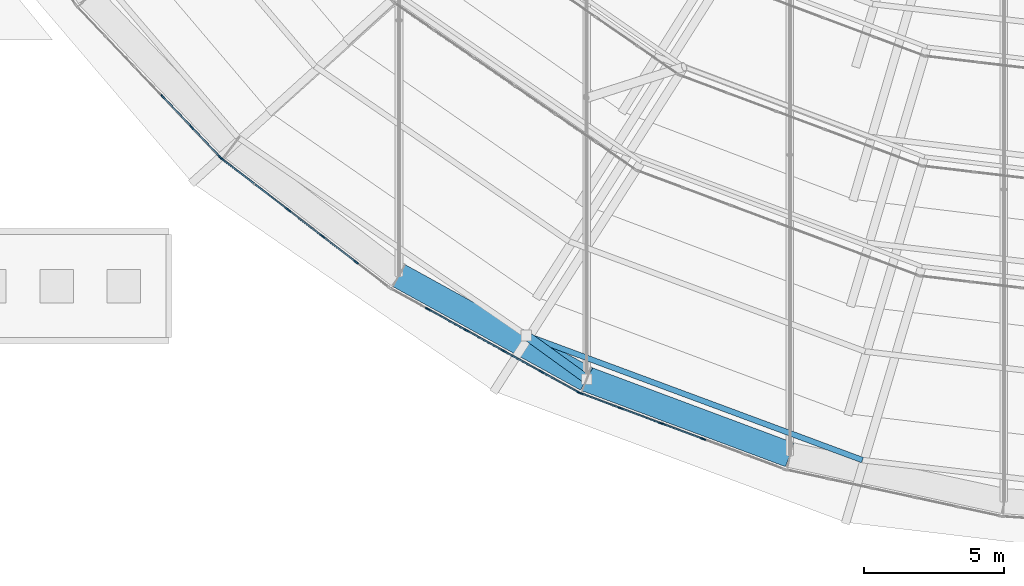
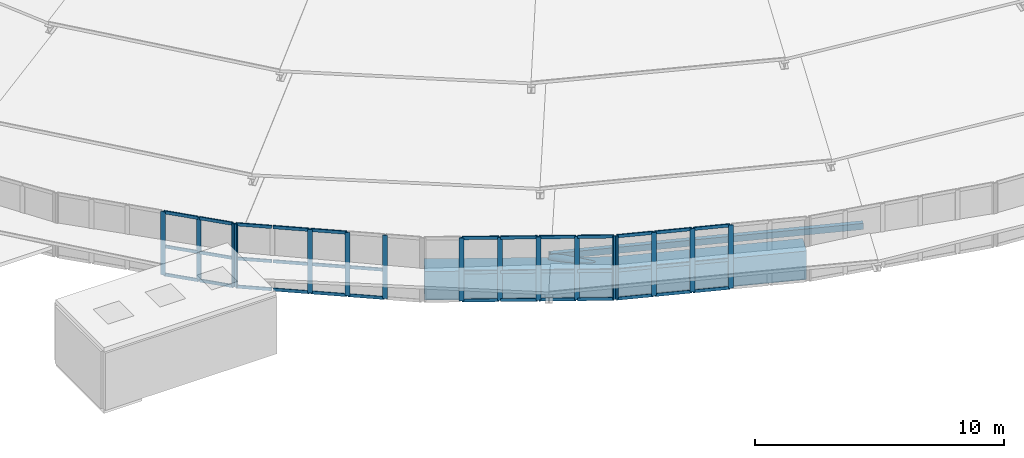
# One storey, part 1 of 173: 56 members, 2 beams, 4 elements without a shape of their own.
"""IFC4 building model written with IfcOpenShell, lengths in metres."""

from ifc_helpers import new_model, si_unit, direction, frame, origin, origin_2d, place, context, subcontext, project, spatial, rectangle, hollow_rectangle, hollow_circle, extrude, material, material_profile, profile_set, type_object, element, aggregate, save


model = new_model("IFC4")

# Units and contexts
model_context = context("Model", 3, precision=1e-05, world=origin(), true_north=direction((0.0, 1.0)))
body_context = subcontext(model_context, "Body", "Model", "MODEL_VIEW")
ifc_project = project(units=[si_unit("LENGTHUNIT", "METRE"), si_unit("AREAUNIT", "SQUARE_METRE"), si_unit("VOLUMEUNIT", "CUBIC_METRE"), si_unit("PLANEANGLEUNIT", "RADIAN"), si_unit("MASSUNIT", "GRAM", prefix="KILO")], contexts=[model_context])

# Site, building, storey
site_placement = place(None, origin())
site = spatial("IfcSite", under=ifc_project, at=site_placement, CompositionType="ELEMENT")
building_placement = place(site_placement, origin())
building = spatial("IfcBuilding", under=site, at=building_placement, Name="Glasvene Arena", CompositionType="ELEMENT")
storey_placement = place(building_placement, frame((0.0, 0.0, 28.800048828125)))
storey = spatial("IfcBuildingStorey", under=building, at=storey_placement, Name="RF", CompositionType="ELEMENT", Elevation=28.800048828125)

# Beams
ifc_material_1 = material(Name="Steel S355J2", Category="steel")
ifc_material_profile_1 = material_profile(ifc_material_1, hollow_rectangle(XDim=0.89990234375, YDim=1.39990234375, WallThickness=0.034912109375, at=origin_2d()), Name="WBOX 900x1400x35")
ifc_profile_set_1 = profile_set([ifc_material_profile_1], Name="Steel S355J2")
beam_type = type_object("IfcBeamType", Name="BM-RING-BOX1400", PredefinedType="USERDEFINED", material=ifc_profile_set_1)
beam_1_placement = place(storey_placement, frame((62.610595703125, 36.59423828125, -0.699951171875), z_axis=(0.875663430497, -0.482921894813, 0.0), x_axis=(0.482921894813, 0.875663430497, 0.0)))
element("IfcBeam", 1, at=beam_1_placement, inside=storey, type_object=beam_type, Name="Compression ring beam chord RB-27", ObjectType="RING BEAM", PredefinedType="USERDEFINED", context=body_context, shape_type="SweptSolid", body=[
    extrude(hollow_rectangle(XDim=0.89990234375, YDim=1.39990234375, WallThickness=0.034912109375, at=origin_2d()), origin(), (0.0, 0.0, 1.0), 7.639892578125),
])
beam_2_placement = place(storey_placement, frame((69.300537109375, 32.90478515625, -0.699951171875), z_axis=(0.937003141372, -0.349320931321, 0.0), x_axis=(0.349320931321, 0.937003141372, 0.0)))
element("IfcBeam", 2, at=beam_2_placement, inside=storey, type_object=beam_type, Name="Compression ring beam chord RB-28", ObjectType="RING BEAM", PredefinedType="USERDEFINED", context=body_context, shape_type="SweptSolid", body=[
    extrude(hollow_rectangle(XDim=0.89990234375, YDim=1.39990234375, WallThickness=0.034912109375, at=origin_2d()), origin(), (0.0, 0.0, 1.0), 7.736083984375),
])

# Curtain wall, members
ifc_material_2 = material(Name="Low-emissivity laminated double glazing", Category="glass")
curtain_wall_type_1 = type_object("IfcCurtainWallType", Name="CW-DRUM-749x310", PredefinedType="USERDEFINED", material=ifc_material_2)
curtain_wall_1_placement = place(storey_placement, frame((51.104248046875, 46.226318359375, 0.0)))
curtain_wall_1 = element("IfcCurtainWall", 3, at=curtain_wall_1_placement, inside=storey, type_object=curtain_wall_type_1, Name="Crown compression-ring fascia curtain wall 25", ObjectType="CURTAIN WALL", PredefinedType="USERDEFINED")
ifc_material_3 = material(Name="Anodised architectural aluminium", Category="aluminium")
ifc_material_profile_2 = material_profile(ifc_material_3, rectangle(XDim=0.050048828125, YDim=0.199951171875, at=origin_2d()), Name="ALU MULLION 50x200")
ifc_profile_set_2 = profile_set([ifc_material_profile_2], Name="Anodised architectural aluminium")
member_type_1 = type_object("IfcMemberType", Name="CW-MUL-180", PredefinedType="MULLION", material=ifc_profile_set_2)
member_1_placement = place(storey_placement, frame((54.195068359375, 42.96533203125, -1.380126953125), z_axis=(0.0, 0.0, 1.0), x_axis=(0.725782125252, 0.687924637344, 0.0)))
member_1 = element("IfcMember", 4, at=member_1_placement, type_object=member_type_1, Name="CW-075 mullion 4", PredefinedType="MULLION", context=body_context, shape_type="SweptSolid", body=[
    extrude(rectangle(XDim=0.050048828125, YDim=0.199951171875, at=origin_2d()), origin(), (0.0, 0.0, 1.0), 3.10009765625),
])
member_2_placement = place(storey_placement, frame((55.2255859375, 41.87841796875, -1.380126953125), z_axis=(0.0, 0.0, 1.0), x_axis=(0.725782125252, 0.687924637344, 0.0)))
member_2 = element("IfcMember", 5, at=member_2_placement, type_object=member_type_1, Name="CW-075 mullion 5", PredefinedType="MULLION", context=body_context, shape_type="SweptSolid", body=[
    extrude(rectangle(XDim=0.050048828125, YDim=0.199951171875, at=origin_2d()), origin(), (0.0, 0.0, 1.0), 3.10009765625),
])
member_3_placement = place(storey_placement, frame((56.238525390625, 40.809326171875, -1.380126953125), z_axis=(0.0, 0.0, 1.0), x_axis=(0.725782125252, 0.687924637344, 0.0)))
member_3 = element("IfcMember", 6, at=member_3_placement, type_object=member_type_1, Name="CW-075 mullion 6", PredefinedType="MULLION", context=body_context, shape_type="SweptSolid", body=[
    extrude(rectangle(XDim=0.050048828125, YDim=0.199951171875, at=origin_2d()), origin(), (0.0, 0.0, 1.0), 3.10009765625),
])

curtain_wall_type_2 = type_object("IfcCurtainWallType", Name="CW-DRUM-761x310", PredefinedType="USERDEFINED", material=ifc_material_2)
curtain_wall_2_placement = place(storey_placement, frame((56.255859375, 40.791259765625, 0.0)))
curtain_wall_2 = element("IfcCurtainWall", 7, at=curtain_wall_2_placement, inside=storey, type_object=curtain_wall_type_2, Name="Crown compression-ring fascia curtain wall 26", ObjectType="CURTAIN WALL", PredefinedType="USERDEFINED")
member_4_placement = place(storey_placement, frame((56.275634765625, 40.776123046875, -1.380126953125), z_axis=(0.0, 0.0, 1.0), x_axis=(0.609894880488, 0.792482324569, 0.0)))
member_4 = element("IfcMember", 8, at=member_4_placement, type_object=member_type_1, Name="CW-076 mullion 1", PredefinedType="MULLION", context=body_context, shape_type="SweptSolid", body=[
    extrude(rectangle(XDim=0.050048828125, YDim=0.199951171875, at=origin_2d()), origin(), (0.0, 0.0, 1.0), 3.10009765625),
])
member_5_placement = place(storey_placement, frame((58.66845703125, 38.9345703125, -1.380126953125), z_axis=(0.0, 0.0, 1.0), x_axis=(0.609894880488, 0.792482324569, 0.0)))
member_5 = element("IfcMember", 9, at=member_5_placement, type_object=member_type_1, Name="CW-076 mullion 3", PredefinedType="MULLION", context=body_context, shape_type="SweptSolid", body=[
    extrude(rectangle(XDim=0.050048828125, YDim=0.199951171875, at=origin_2d()), origin(), (0.0, 0.0, 1.0), 3.10009765625),
])
member_6_placement = place(storey_placement, frame((59.874755859375, 38.006103515625, -1.380126953125), z_axis=(0.0, 0.0, 1.0), x_axis=(0.609894880488, 0.792482324569, 0.0)))
member_6 = element("IfcMember", 10, at=member_6_placement, type_object=member_type_1, Name="CW-076 mullion 4", PredefinedType="MULLION", context=body_context, shape_type="SweptSolid", body=[
    extrude(rectangle(XDim=0.050048828125, YDim=0.199951171875, at=origin_2d()), origin(), (0.0, 0.0, 1.0), 3.10009765625),
])
member_7_placement = place(storey_placement, frame((61.0810546875, 37.07763671875, -1.380126953125), z_axis=(0.0, 0.0, 1.0), x_axis=(0.609894880488, 0.792482324569, 0.0)))
member_7 = element("IfcMember", 11, at=member_7_placement, type_object=member_type_1, Name="CW-076 mullion 5", PredefinedType="MULLION", context=body_context, shape_type="SweptSolid", body=[
    extrude(rectangle(XDim=0.050048828125, YDim=0.199951171875, at=origin_2d()), origin(), (0.0, 0.0, 1.0), 3.10009765625),
])

curtain_wall_type_3 = type_object("IfcCurtainWallType", Name="CW-DRUM-773x310", PredefinedType="USERDEFINED", material=ifc_material_2)
curtain_wall_3_placement = place(storey_placement, frame((62.28759765625, 36.1494140625, 0.0)))
curtain_wall_3 = element("IfcCurtainWall", 12, at=curtain_wall_3_placement, inside=storey, type_object=curtain_wall_type_3, Name="Crown compression-ring fascia curtain wall 27", ObjectType="CURTAIN WALL", PredefinedType="USERDEFINED")
member_8_placement = place(storey_placement, frame((63.64013671875, 35.40234375, -1.380126953125), z_axis=(0.0, 0.0, 1.0), x_axis=(0.483387319086, 0.875406591103, 0.0)))
member_8 = element("IfcMember", 13, at=member_8_placement, type_object=member_type_1, Name="CW-077 mullion 2", PredefinedType="MULLION", context=body_context, shape_type="SweptSolid", body=[
    extrude(rectangle(XDim=0.050048828125, YDim=0.199951171875, at=origin_2d()), origin(), (0.0, 0.0, 1.0), 3.10009765625),
])
member_9_placement = place(storey_placement, frame((64.992919921875, 34.655517578125, -1.380126953125), z_axis=(0.0, 0.0, 1.0), x_axis=(0.483387319086, 0.875406591103, 0.0)))
member_9 = element("IfcMember", 14, at=member_9_placement, type_object=member_type_1, Name="CW-077 mullion 3", PredefinedType="MULLION", context=body_context, shape_type="SweptSolid", body=[
    extrude(rectangle(XDim=0.050048828125, YDim=0.199951171875, at=origin_2d()), origin(), (0.0, 0.0, 1.0), 3.10009765625),
])
member_10_placement = place(storey_placement, frame((66.345458984375, 33.908447265625, -1.380126953125), z_axis=(0.0, 0.0, 1.0), x_axis=(0.483387319086, 0.875406591103, 0.0)))
member_10 = element("IfcMember", 15, at=member_10_placement, type_object=member_type_1, Name="CW-077 mullion 4", PredefinedType="MULLION", context=body_context, shape_type="SweptSolid", body=[
    extrude(rectangle(XDim=0.050048828125, YDim=0.199951171875, at=origin_2d()), origin(), (0.0, 0.0, 1.0), 3.10009765625),
])
member_11_placement = place(storey_placement, frame((67.6982421875, 33.16162109375, -1.380126953125), z_axis=(0.0, 0.0, 1.0), x_axis=(0.483387319086, 0.875406591103, 0.0)))
member_11 = element("IfcMember", 16, at=member_11_placement, type_object=member_type_1, Name="CW-077 mullion 5", PredefinedType="MULLION", context=body_context, shape_type="SweptSolid", body=[
    extrude(rectangle(XDim=0.050048828125, YDim=0.199951171875, at=origin_2d()), origin(), (0.0, 0.0, 1.0), 3.10009765625),
])
member_12_placement = place(storey_placement, frame((69.02880859375, 32.4267578125, -1.380126953125), z_axis=(0.0, 0.0, 1.0), x_axis=(0.483387319086, 0.875406591103, 0.0)))
member_12 = element("IfcMember", 17, at=member_12_placement, type_object=member_type_1, Name="CW-077 mullion 6", PredefinedType="MULLION", context=body_context, shape_type="SweptSolid", body=[
    extrude(rectangle(XDim=0.050048828125, YDim=0.199951171875, at=origin_2d()), origin(), (0.0, 0.0, 1.0), 3.10009765625),
])

curtain_wall_type_4 = type_object("IfcCurtainWallType", Name="CW-DRUM-782x310", PredefinedType="USERDEFINED", material=ifc_material_2)
curtain_wall_4_placement = place(storey_placement, frame((69.05078125, 32.414794921875, 0.0)))
curtain_wall_4 = element("IfcCurtainWall", 18, at=curtain_wall_4_placement, inside=storey, type_object=curtain_wall_type_4, Name="Crown compression-ring fascia curtain wall 28", ObjectType="CURTAIN WALL", PredefinedType="USERDEFINED")
member_13_placement = place(storey_placement, frame((69.07421875, 32.406005859375, -1.380126953125), z_axis=(0.0, 0.0, 1.0), x_axis=(0.349682803856, 0.936868153311, 0.0)))
member_13 = element("IfcMember", 19, at=member_13_placement, type_object=member_type_1, Name="CW-078 mullion 1", PredefinedType="MULLION", context=body_context, shape_type="SweptSolid", body=[
    extrude(rectangle(XDim=0.050048828125, YDim=0.199951171875, at=origin_2d()), origin(), (0.0, 0.0, 1.0), 3.10009765625),
])
member_14_placement = place(storey_placement, frame((70.5166015625, 31.86767578125, -1.380126953125), z_axis=(0.0, 0.0, 1.0), x_axis=(0.349682803856, 0.936868153311, 0.0)))
member_14 = element("IfcMember", 20, at=member_14_placement, type_object=member_type_1, Name="CW-078 mullion 2", PredefinedType="MULLION", context=body_context, shape_type="SweptSolid", body=[
    extrude(rectangle(XDim=0.050048828125, YDim=0.199951171875, at=origin_2d()), origin(), (0.0, 0.0, 1.0), 3.10009765625),
])
member_15_placement = place(storey_placement, frame((71.982177734375, 31.320556640625, -1.380126953125), z_axis=(0.0, 0.0, 1.0), x_axis=(0.349682803856, 0.936868153311, 0.0)))
member_15 = element("IfcMember", 21, at=member_15_placement, type_object=member_type_1, Name="CW-078 mullion 3", PredefinedType="MULLION", context=body_context, shape_type="SweptSolid", body=[
    extrude(rectangle(XDim=0.050048828125, YDim=0.199951171875, at=origin_2d()), origin(), (0.0, 0.0, 1.0), 3.10009765625),
])
member_16_placement = place(storey_placement, frame((73.44775390625, 30.7734375, -1.380126953125), z_axis=(0.0, 0.0, 1.0), x_axis=(0.349682803856, 0.936868153311, 0.0)))
member_16 = element("IfcMember", 22, at=member_16_placement, type_object=member_type_1, Name="CW-078 mullion 4", PredefinedType="MULLION", context=body_context, shape_type="SweptSolid", body=[
    extrude(rectangle(XDim=0.050048828125, YDim=0.199951171875, at=origin_2d()), origin(), (0.0, 0.0, 1.0), 3.10009765625),
])

# Member
ifc_material_profile_3 = material_profile(ifc_material_3, rectangle(XDim=0.050048828125, YDim=0.14990234375, at=origin_2d()), Name="ALU TRANSOM 50x150")
ifc_profile_set_3 = profile_set([ifc_material_profile_3], Name="Anodised architectural aluminium")
member_type_2 = type_object("IfcMemberType", Name="CW-TRN-150", PredefinedType="USERDEFINED", material=ifc_profile_set_3)
member_17_placement = place(storey_placement, frame((54.21240234375, 42.947265625, -1.35498046875), z_axis=(0.687880286025, -0.725824160591, 0.0), x_axis=(0.725824160591, 0.687880286025, 0.0)))
member_17 = element("IfcMember", 23, at=member_17_placement, type_object=member_type_2, Name="CW-075 transom 4.1", ObjectType="TRANSOM", PredefinedType="USERDEFINED", context=body_context, shape_type="SweptSolid", body=[
    extrude(rectangle(XDim=0.050048828125, YDim=0.14990234375, at=origin_2d()), origin(), (0.0, 0.0, 1.0), 1.44775390625),
])

member_18_placement = place(storey_placement, frame((54.21240234375, 42.947265625, 0.02001953125), z_axis=(0.687880286025, -0.725824160591, 0.0), x_axis=(0.725824160591, 0.687880286025, 0.0)))
member_18 = element("IfcMember", 24, at=member_18_placement, type_object=member_type_2, Name="CW-075 transom 4.2", ObjectType="TRANSOM", PredefinedType="USERDEFINED", context=body_context, shape_type="SweptSolid", body=[
    extrude(rectangle(XDim=0.050048828125, YDim=0.14990234375, at=origin_2d()), origin(), (0.0, 0.0, 1.0), 1.44775390625),
])

member_19_placement = place(storey_placement, frame((54.21240234375, 42.947265625, 1.695068359375), z_axis=(0.687880286025, -0.725824160591, 0.0), x_axis=(0.725824160591, 0.687880286025, 0.0)))
member_19 = element("IfcMember", 25, at=member_19_placement, type_object=member_type_2, Name="CW-075 transom 4.3", ObjectType="TRANSOM", PredefinedType="USERDEFINED", context=body_context, shape_type="SweptSolid", body=[
    extrude(rectangle(XDim=0.050048828125, YDim=0.14990234375, at=origin_2d()), origin(), (0.0, 0.0, 1.0), 1.44775390625),
])

member_20_placement = place(storey_placement, frame((55.24267578125, 41.860107421875, -1.35498046875), z_axis=(0.687977849448, -0.725731685038, 0.0), x_axis=(0.725731685038, 0.687977849448, 0.0)))
member_20 = element("IfcMember", 26, at=member_20_placement, type_object=member_type_2, Name="CW-075 transom 5.1", ObjectType="TRANSOM", PredefinedType="USERDEFINED", context=body_context, shape_type="SweptSolid", body=[
    extrude(rectangle(XDim=0.050048828125, YDim=0.14990234375, at=origin_2d()), origin(), (0.0, 0.0, 1.0), 1.422607421875),
])

member_21_placement = place(storey_placement, frame((55.24267578125, 41.860107421875, 0.02001953125), z_axis=(0.687977849448, -0.725731685038, 0.0), x_axis=(0.725731685038, 0.687977849448, 0.0)))
member_21 = element("IfcMember", 27, at=member_21_placement, type_object=member_type_2, Name="CW-075 transom 5.2", ObjectType="TRANSOM", PredefinedType="USERDEFINED", context=body_context, shape_type="SweptSolid", body=[
    extrude(rectangle(XDim=0.050048828125, YDim=0.14990234375, at=origin_2d()), origin(), (0.0, 0.0, 1.0), 1.422607421875),
])

member_22_placement = place(storey_placement, frame((55.24267578125, 41.860107421875, 1.695068359375), z_axis=(0.687977849448, -0.725731685038, 0.0), x_axis=(0.725731685038, 0.687977849448, 0.0)))
member_22 = element("IfcMember", 28, at=member_22_placement, type_object=member_type_2, Name="CW-075 transom 5.3", ObjectType="TRANSOM", PredefinedType="USERDEFINED", context=body_context, shape_type="SweptSolid", body=[
    extrude(rectangle(XDim=0.050048828125, YDim=0.14990234375, at=origin_2d()), origin(), (0.0, 0.0, 1.0), 1.422607421875),
])

aggregate(curtain_wall_1, [member_1, member_2, member_3, member_17, member_18, member_19, member_20, member_21, member_22])

member_23_placement = place(storey_placement, frame((56.29541015625, 40.7607421875, -1.35498046875), z_axis=(0.792529911732, -0.609833041914, 0.0), x_axis=(0.609833041914, 0.792529911732, 0.0)))
member_23 = element("IfcMember", 29, at=member_23_placement, type_object=member_type_2, Name="CW-076 transom 1.1", ObjectType="TRANSOM", PredefinedType="USERDEFINED", context=body_context, shape_type="SweptSolid", body=[
    extrude(rectangle(XDim=0.050048828125, YDim=0.14990234375, at=origin_2d()), origin(), (0.0, 0.0, 1.0), 1.447265625),
])

member_24_placement = place(storey_placement, frame((56.29541015625, 40.7607421875, 0.02001953125), z_axis=(0.792529911732, -0.609833041914, 0.0), x_axis=(0.609833041914, 0.792529911732, 0.0)))
member_24 = element("IfcMember", 30, at=member_24_placement, type_object=member_type_2, Name="CW-076 transom 1.2", ObjectType="TRANSOM", PredefinedType="USERDEFINED", context=body_context, shape_type="SweptSolid", body=[
    extrude(rectangle(XDim=0.050048828125, YDim=0.14990234375, at=origin_2d()), origin(), (0.0, 0.0, 1.0), 1.447265625),
])

member_25_placement = place(storey_placement, frame((56.29541015625, 40.7607421875, 1.695068359375), z_axis=(0.792529911732, -0.609833041914, 0.0), x_axis=(0.609833041914, 0.792529911732, 0.0)))
member_25 = element("IfcMember", 31, at=member_25_placement, type_object=member_type_2, Name="CW-076 transom 1.3", ObjectType="TRANSOM", PredefinedType="USERDEFINED", context=body_context, shape_type="SweptSolid", body=[
    extrude(rectangle(XDim=0.050048828125, YDim=0.14990234375, at=origin_2d()), origin(), (0.0, 0.0, 1.0), 1.447265625),
])

member_26_placement = place(storey_placement, frame((57.48193359375, 39.84765625, -1.35498046875), z_axis=(0.792476018124, -0.60990307484, 0.0), x_axis=(0.60990307484, 0.792476018124, 0.0)))
member_26 = element("IfcMember", 32, at=member_26_placement, type_object=member_type_2, Name="CW-076 transom 2.1", ObjectType="TRANSOM", PredefinedType="USERDEFINED", context=body_context, shape_type="SweptSolid", body=[
    extrude(rectangle(XDim=0.050048828125, YDim=0.14990234375, at=origin_2d()), origin(), (0.0, 0.0, 1.0), 1.47216796875),
])

member_27_placement = place(storey_placement, frame((57.48193359375, 39.84765625, 0.02001953125), z_axis=(0.792476018124, -0.60990307484, 0.0), x_axis=(0.60990307484, 0.792476018124, 0.0)))
member_27 = element("IfcMember", 33, at=member_27_placement, type_object=member_type_2, Name="CW-076 transom 2.2", ObjectType="TRANSOM", PredefinedType="USERDEFINED", context=body_context, shape_type="SweptSolid", body=[
    extrude(rectangle(XDim=0.050048828125, YDim=0.14990234375, at=origin_2d()), origin(), (0.0, 0.0, 1.0), 1.47216796875),
])

member_28_placement = place(storey_placement, frame((57.48193359375, 39.84765625, 1.695068359375), z_axis=(0.792476018124, -0.60990307484, 0.0), x_axis=(0.60990307484, 0.792476018124, 0.0)))
member_28 = element("IfcMember", 34, at=member_28_placement, type_object=member_type_2, Name="CW-076 transom 2.3", ObjectType="TRANSOM", PredefinedType="USERDEFINED", context=body_context, shape_type="SweptSolid", body=[
    extrude(rectangle(XDim=0.050048828125, YDim=0.14990234375, at=origin_2d()), origin(), (0.0, 0.0, 1.0), 1.47216796875),
])

member_29_placement = place(storey_placement, frame((58.688232421875, 38.919189453125, -1.35498046875), z_axis=(0.792476018124, -0.60990307484, 0.0), x_axis=(0.60990307484, 0.792476018124, 0.0)))
member_29 = element("IfcMember", 35, at=member_29_placement, type_object=member_type_2, Name="CW-076 transom 3.1", ObjectType="TRANSOM", PredefinedType="USERDEFINED", context=body_context, shape_type="SweptSolid", body=[
    extrude(rectangle(XDim=0.050048828125, YDim=0.14990234375, at=origin_2d()), origin(), (0.0, 0.0, 1.0), 1.47216796875),
])

member_30_placement = place(storey_placement, frame((58.688232421875, 38.919189453125, 0.02001953125), z_axis=(0.792476018124, -0.60990307484, 0.0), x_axis=(0.60990307484, 0.792476018124, 0.0)))
member_30 = element("IfcMember", 36, at=member_30_placement, type_object=member_type_2, Name="CW-076 transom 3.2", ObjectType="TRANSOM", PredefinedType="USERDEFINED", context=body_context, shape_type="SweptSolid", body=[
    extrude(rectangle(XDim=0.050048828125, YDim=0.14990234375, at=origin_2d()), origin(), (0.0, 0.0, 1.0), 1.47216796875),
])

member_31_placement = place(storey_placement, frame((58.688232421875, 38.919189453125, 1.695068359375), z_axis=(0.792476018124, -0.60990307484, 0.0), x_axis=(0.60990307484, 0.792476018124, 0.0)))
member_31 = element("IfcMember", 37, at=member_31_placement, type_object=member_type_2, Name="CW-076 transom 3.3", ObjectType="TRANSOM", PredefinedType="USERDEFINED", context=body_context, shape_type="SweptSolid", body=[
    extrude(rectangle(XDim=0.050048828125, YDim=0.14990234375, at=origin_2d()), origin(), (0.0, 0.0, 1.0), 1.47216796875),
])

member_32_placement = place(storey_placement, frame((59.89453125, 37.990966796875, -1.35498046875), z_axis=(0.792476018124, -0.60990307484, 0.0), x_axis=(0.60990307484, 0.792476018124, 0.0)))
member_32 = element("IfcMember", 38, at=member_32_placement, type_object=member_type_2, Name="CW-076 transom 4.1", ObjectType="TRANSOM", PredefinedType="USERDEFINED", context=body_context, shape_type="SweptSolid", body=[
    extrude(rectangle(XDim=0.050048828125, YDim=0.14990234375, at=origin_2d()), origin(), (0.0, 0.0, 1.0), 1.47216796875),
])

member_33_placement = place(storey_placement, frame((59.89453125, 37.990966796875, 0.02001953125), z_axis=(0.792476018124, -0.60990307484, 0.0), x_axis=(0.60990307484, 0.792476018124, 0.0)))
member_33 = element("IfcMember", 39, at=member_33_placement, type_object=member_type_2, Name="CW-076 transom 4.2", ObjectType="TRANSOM", PredefinedType="USERDEFINED", context=body_context, shape_type="SweptSolid", body=[
    extrude(rectangle(XDim=0.050048828125, YDim=0.14990234375, at=origin_2d()), origin(), (0.0, 0.0, 1.0), 1.47216796875),
])

aggregate(curtain_wall_2, [member_4, member_5, member_6, member_7, member_23, member_24, member_25, member_26, member_27, member_28, member_29, member_30, member_31, member_32, member_33])

member_34_placement = place(storey_placement, frame((63.662109375, 35.390380859375, -1.35498046875), z_axis=(0.87535611162, -0.483478725332, 0.0), x_axis=(0.483478725332, 0.87535611162, 0.0)))
member_34 = element("IfcMember", 40, at=member_34_placement, type_object=member_type_2, Name="CW-077 transom 2.1", ObjectType="TRANSOM", PredefinedType="USERDEFINED", context=body_context, shape_type="SweptSolid", body=[
    extrude(rectangle(XDim=0.050048828125, YDim=0.14990234375, at=origin_2d()), origin(), (0.0, 0.0, 1.0), 1.4951171875),
])

member_35_placement = place(storey_placement, frame((63.662109375, 35.390380859375, 0.02001953125), z_axis=(0.87535611162, -0.483478725332, 0.0), x_axis=(0.483478725332, 0.87535611162, 0.0)))
member_35 = element("IfcMember", 41, at=member_35_placement, type_object=member_type_2, Name="CW-077 transom 2.2", ObjectType="TRANSOM", PredefinedType="USERDEFINED", context=body_context, shape_type="SweptSolid", body=[
    extrude(rectangle(XDim=0.050048828125, YDim=0.14990234375, at=origin_2d()), origin(), (0.0, 0.0, 1.0), 1.4951171875),
])

member_36_placement = place(storey_placement, frame((63.662109375, 35.390380859375, 1.695068359375), z_axis=(0.87535611162, -0.483478725332, 0.0), x_axis=(0.483478725332, 0.87535611162, 0.0)))
member_36 = element("IfcMember", 42, at=member_36_placement, type_object=member_type_2, Name="CW-077 transom 2.3", ObjectType="TRANSOM", PredefinedType="USERDEFINED", context=body_context, shape_type="SweptSolid", body=[
    extrude(rectangle(XDim=0.050048828125, YDim=0.14990234375, at=origin_2d()), origin(), (0.0, 0.0, 1.0), 1.4951171875),
])

member_37_placement = place(storey_placement, frame((65.0146484375, 34.643310546875, -1.35498046875), z_axis=(0.8754252118, -0.483353595771, 0.0), x_axis=(0.483353595771, 0.8754252118, 0.0)))
member_37 = element("IfcMember", 43, at=member_37_placement, type_object=member_type_2, Name="CW-077 transom 3.1", ObjectType="TRANSOM", PredefinedType="USERDEFINED", context=body_context, shape_type="SweptSolid", body=[
    extrude(rectangle(XDim=0.050048828125, YDim=0.14990234375, at=origin_2d()), origin(), (0.0, 0.0, 1.0), 1.4951171875),
])

member_38_placement = place(storey_placement, frame((65.0146484375, 34.643310546875, 0.02001953125), z_axis=(0.8754252118, -0.483353595771, 0.0), x_axis=(0.483353595771, 0.8754252118, 0.0)))
member_38 = element("IfcMember", 44, at=member_38_placement, type_object=member_type_2, Name="CW-077 transom 3.2", ObjectType="TRANSOM", PredefinedType="USERDEFINED", context=body_context, shape_type="SweptSolid", body=[
    extrude(rectangle(XDim=0.050048828125, YDim=0.14990234375, at=origin_2d()), origin(), (0.0, 0.0, 1.0), 1.4951171875),
])

member_39_placement = place(storey_placement, frame((65.0146484375, 34.643310546875, 1.695068359375), z_axis=(0.8754252118, -0.483353595771, 0.0), x_axis=(0.483353595771, 0.8754252118, 0.0)))
member_39 = element("IfcMember", 45, at=member_39_placement, type_object=member_type_2, Name="CW-077 transom 3.3", ObjectType="TRANSOM", PredefinedType="USERDEFINED", context=body_context, shape_type="SweptSolid", body=[
    extrude(rectangle(XDim=0.050048828125, YDim=0.14990234375, at=origin_2d()), origin(), (0.0, 0.0, 1.0), 1.4951171875),
])

member_40_placement = place(storey_placement, frame((66.367431640625, 33.896484375, -1.35498046875), z_axis=(0.87535611162, -0.483478725332, 0.0), x_axis=(0.483478725332, 0.87535611162, 0.0)))
member_40 = element("IfcMember", 46, at=member_40_placement, type_object=member_type_2, Name="CW-077 transom 4.1", ObjectType="TRANSOM", PredefinedType="USERDEFINED", context=body_context, shape_type="SweptSolid", body=[
    extrude(rectangle(XDim=0.050048828125, YDim=0.14990234375, at=origin_2d()), origin(), (0.0, 0.0, 1.0), 1.4951171875),
])

member_41_placement = place(storey_placement, frame((66.367431640625, 33.896484375, 0.02001953125), z_axis=(0.87535611162, -0.483478725332, 0.0), x_axis=(0.483478725332, 0.87535611162, 0.0)))
member_41 = element("IfcMember", 47, at=member_41_placement, type_object=member_type_2, Name="CW-077 transom 4.2", ObjectType="TRANSOM", PredefinedType="USERDEFINED", context=body_context, shape_type="SweptSolid", body=[
    extrude(rectangle(XDim=0.050048828125, YDim=0.14990234375, at=origin_2d()), origin(), (0.0, 0.0, 1.0), 1.4951171875),
])

member_42_placement = place(storey_placement, frame((66.367431640625, 33.896484375, 1.695068359375), z_axis=(0.87535611162, -0.483478725332, 0.0), x_axis=(0.483478725332, 0.87535611162, 0.0)))
member_42 = element("IfcMember", 48, at=member_42_placement, type_object=member_type_2, Name="CW-077 transom 4.3", ObjectType="TRANSOM", PredefinedType="USERDEFINED", context=body_context, shape_type="SweptSolid", body=[
    extrude(rectangle(XDim=0.050048828125, YDim=0.14990234375, at=origin_2d()), origin(), (0.0, 0.0, 1.0), 1.4951171875),
])

member_43_placement = place(storey_placement, frame((67.719970703125, 33.1494140625, -1.35498046875), z_axis=(0.875485629415, -0.483244154324, 0.0), x_axis=(0.483244154324, 0.875485629415, 0.0)))
member_43 = element("IfcMember", 49, at=member_43_placement, type_object=member_type_2, Name="CW-077 transom 5.1", ObjectType="TRANSOM", PredefinedType="USERDEFINED", context=body_context, shape_type="SweptSolid", body=[
    extrude(rectangle(XDim=0.050048828125, YDim=0.14990234375, at=origin_2d()), origin(), (0.0, 0.0, 1.0), 1.47021484375),
])

member_44_placement = place(storey_placement, frame((67.719970703125, 33.1494140625, 0.02001953125), z_axis=(0.875485629415, -0.483244154324, 0.0), x_axis=(0.483244154324, 0.875485629415, 0.0)))
member_44 = element("IfcMember", 50, at=member_44_placement, type_object=member_type_2, Name="CW-077 transom 5.2", ObjectType="TRANSOM", PredefinedType="USERDEFINED", context=body_context, shape_type="SweptSolid", body=[
    extrude(rectangle(XDim=0.050048828125, YDim=0.14990234375, at=origin_2d()), origin(), (0.0, 0.0, 1.0), 1.47021484375),
])

member_45_placement = place(storey_placement, frame((67.719970703125, 33.1494140625, 1.695068359375), z_axis=(0.875485629415, -0.483244154324, 0.0), x_axis=(0.483244154324, 0.875485629415, 0.0)))
member_45 = element("IfcMember", 51, at=member_45_placement, type_object=member_type_2, Name="CW-077 transom 5.3", ObjectType="TRANSOM", PredefinedType="USERDEFINED", context=body_context, shape_type="SweptSolid", body=[
    extrude(rectangle(XDim=0.050048828125, YDim=0.14990234375, at=origin_2d()), origin(), (0.0, 0.0, 1.0), 1.47021484375),
])

aggregate(curtain_wall_3, [member_8, member_9, member_10, member_11, member_12, member_34, member_35, member_36, member_37, member_38, member_39, member_40, member_41, member_42, member_43, member_44, member_45])

member_46_placement = place(storey_placement, frame((69.09765625, 32.397216796875, -1.35498046875), z_axis=(0.936893778627, -0.349614140975, 0.0), x_axis=(0.349614140975, 0.936893778627, 0.0)))
member_46 = element("IfcMember", 52, at=member_46_placement, type_object=member_type_2, Name="CW-078 transom 1.1", ObjectType="TRANSOM", PredefinedType="USERDEFINED", context=body_context, shape_type="SweptSolid", body=[
    extrude(rectangle(XDim=0.050048828125, YDim=0.14990234375, at=origin_2d()), origin(), (0.0, 0.0, 1.0), 1.489501953125),
])

member_47_placement = place(storey_placement, frame((69.09765625, 32.397216796875, 0.02001953125), z_axis=(0.936893778627, -0.349614140975, 0.0), x_axis=(0.349614140975, 0.936893778627, 0.0)))
member_47 = element("IfcMember", 53, at=member_47_placement, type_object=member_type_2, Name="CW-078 transom 1.2", ObjectType="TRANSOM", PredefinedType="USERDEFINED", context=body_context, shape_type="SweptSolid", body=[
    extrude(rectangle(XDim=0.050048828125, YDim=0.14990234375, at=origin_2d()), origin(), (0.0, 0.0, 1.0), 1.489501953125),
])

member_48_placement = place(storey_placement, frame((69.09765625, 32.397216796875, 1.695068359375), z_axis=(0.936893778627, -0.349614140975, 0.0), x_axis=(0.349614140975, 0.936893778627, 0.0)))
member_48 = element("IfcMember", 54, at=member_48_placement, type_object=member_type_2, Name="CW-078 transom 1.3", ObjectType="TRANSOM", PredefinedType="USERDEFINED", context=body_context, shape_type="SweptSolid", body=[
    extrude(rectangle(XDim=0.050048828125, YDim=0.14990234375, at=origin_2d()), origin(), (0.0, 0.0, 1.0), 1.489501953125),
])

member_49_placement = place(storey_placement, frame((70.539794921875, 31.85888671875, -1.35498046875), z_axis=(0.936884467043, -0.349639093086, 0.0), x_axis=(0.349639093086, 0.936884467043, 0.0)))
member_49 = element("IfcMember", 55, at=member_49_placement, type_object=member_type_2, Name="CW-078 transom 2.1", ObjectType="TRANSOM", PredefinedType="USERDEFINED", context=body_context, shape_type="SweptSolid", body=[
    extrude(rectangle(XDim=0.050048828125, YDim=0.14990234375, at=origin_2d()), origin(), (0.0, 0.0, 1.0), 1.5146484375),
])

member_50_placement = place(storey_placement, frame((70.539794921875, 31.85888671875, 0.02001953125), z_axis=(0.936884467043, -0.349639093086, 0.0), x_axis=(0.349639093086, 0.936884467043, 0.0)))
member_50 = element("IfcMember", 56, at=member_50_placement, type_object=member_type_2, Name="CW-078 transom 2.2", ObjectType="TRANSOM", PredefinedType="USERDEFINED", context=body_context, shape_type="SweptSolid", body=[
    extrude(rectangle(XDim=0.050048828125, YDim=0.14990234375, at=origin_2d()), origin(), (0.0, 0.0, 1.0), 1.5146484375),
])

member_51_placement = place(storey_placement, frame((70.539794921875, 31.85888671875, 1.695068359375), z_axis=(0.936884467043, -0.349639093086, 0.0), x_axis=(0.349639093086, 0.936884467043, 0.0)))
member_51 = element("IfcMember", 57, at=member_51_placement, type_object=member_type_2, Name="CW-078 transom 2.3", ObjectType="TRANSOM", PredefinedType="USERDEFINED", context=body_context, shape_type="SweptSolid", body=[
    extrude(rectangle(XDim=0.050048828125, YDim=0.14990234375, at=origin_2d()), origin(), (0.0, 0.0, 1.0), 1.5146484375),
])

member_52_placement = place(storey_placement, frame((72.005615234375, 31.311767578125, -1.35498046875), z_axis=(0.93686475649, -0.349691904462, 0.0), x_axis=(0.349691904462, 0.93686475649, 0.0)))
member_52 = element("IfcMember", 58, at=member_52_placement, type_object=member_type_2, Name="CW-078 transom 3.1", ObjectType="TRANSOM", PredefinedType="USERDEFINED", context=body_context, shape_type="SweptSolid", body=[
    extrude(rectangle(XDim=0.050048828125, YDim=0.14990234375, at=origin_2d()), origin(), (0.0, 0.0, 1.0), 1.514404296875),
])

member_53_placement = place(storey_placement, frame((72.005615234375, 31.311767578125, 0.02001953125), z_axis=(0.93686475649, -0.349691904462, 0.0), x_axis=(0.349691904462, 0.93686475649, 0.0)))
member_53 = element("IfcMember", 59, at=member_53_placement, type_object=member_type_2, Name="CW-078 transom 3.2", ObjectType="TRANSOM", PredefinedType="USERDEFINED", context=body_context, shape_type="SweptSolid", body=[
    extrude(rectangle(XDim=0.050048828125, YDim=0.14990234375, at=origin_2d()), origin(), (0.0, 0.0, 1.0), 1.514404296875),
])

member_54_placement = place(storey_placement, frame((72.005615234375, 31.311767578125, 1.695068359375), z_axis=(0.93686475649, -0.349691904462, 0.0), x_axis=(0.349691904462, 0.93686475649, 0.0)))
member_54 = element("IfcMember", 60, at=member_54_placement, type_object=member_type_2, Name="CW-078 transom 3.3", ObjectType="TRANSOM", PredefinedType="USERDEFINED", context=body_context, shape_type="SweptSolid", body=[
    extrude(rectangle(XDim=0.050048828125, YDim=0.14990234375, at=origin_2d()), origin(), (0.0, 0.0, 1.0), 1.514404296875),
])

aggregate(curtain_wall_4, [member_13, member_14, member_15, member_16, member_46, member_47, member_48, member_49, member_50, member_51, member_52, member_53, member_54])

# Members
ifc_material_profile_4 = material_profile(ifc_material_1, hollow_circle(Radius=0.161865234375, WallThickness=0.01611328125, at=origin_2d()), Name="CHS 323.9x16.0")
ifc_profile_set_4 = profile_set([ifc_material_profile_4], Name="Steel S355J2")
member_type_3 = type_object("IfcMemberType", Name="MB-POST-CHS324", PredefinedType="BRACE", material=ifc_profile_set_4)
member_55_placement = place(storey_placement, frame((69.300537109375, 32.90478515625, -0.300048828125), z_axis=(-0.797710559684, 0.577568163204, 0.173415339062), x_axis=(-0.586453651283, -0.809982786791, 0.0)))
element("IfcMember", 61, at=member_55_placement, inside=storey, type_object=member_type_3, Name="Petal ring 1 outer support post 17", PredefinedType="BRACE", context=body_context, shape_type="SweptSolid", body=[
    extrude(hollow_circle(Radius=0.161865234375, WallThickness=0.01611328125, at=origin_2d()), origin(), (0.0, 0.0, 1.0), 2.696044921875),
])
ifc_material_profile_5 = material_profile(ifc_material_1, hollow_rectangle(XDim=0.199951171875, YDim=0.300048828125, WallThickness=0.012451171875, at=origin_2d()), Name="RHS 300x200x12.5")
ifc_profile_set_5 = profile_set([ifc_material_profile_5], Name="Steel S355J2")
member_type_4 = type_object("IfcMemberType", Name="MB-PURLIN-RHS300", PredefinedType="PURLIN", material=ifc_profile_set_5)
member_56_placement = place(storey_placement, frame((67.14990234375, 34.4619140625, 0.16748046875), z_axis=(0.937595944785, -0.347726680488, 0.0), x_axis=(0.347726680488, 0.937595944785, 0.0)))
element("IfcMember", 62, at=member_56_placement, inside=storey, type_object=member_type_4, Name="Petal ring 1 outer purlin 17", PredefinedType="PURLIN", context=body_context, shape_type="SweptSolid", body=[
    extrude(hollow_rectangle(XDim=0.199951171875, YDim=0.300048828125, WallThickness=0.012451171875, at=origin_2d()), origin(), (0.0, 0.0, 1.0), 12.78466796875),
])

save(model, "model.ifc")
